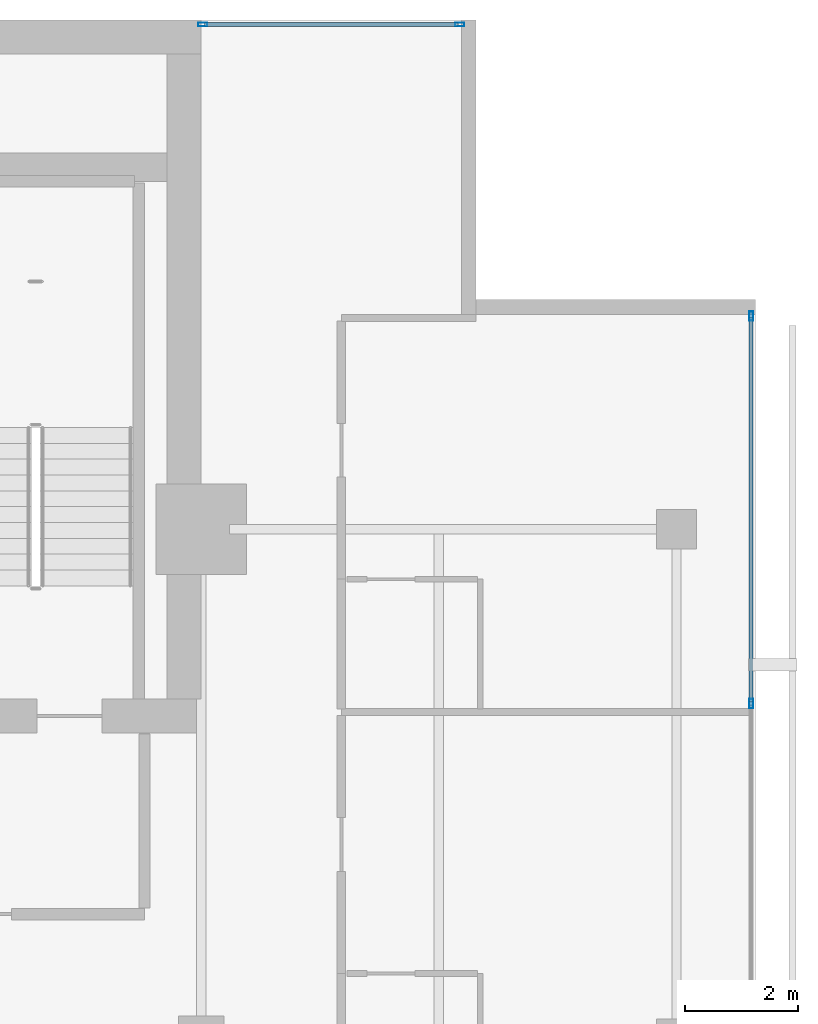
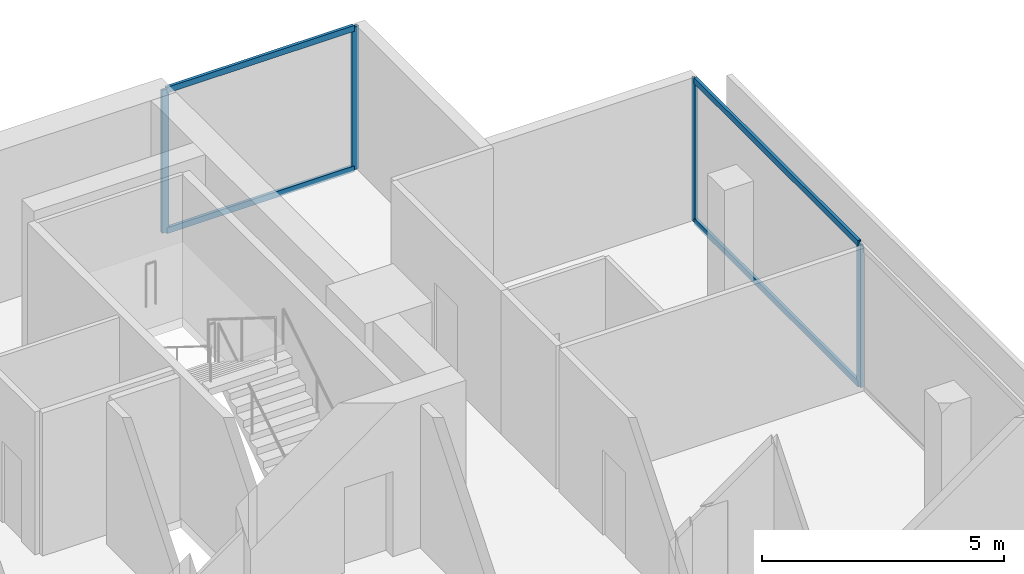
# One storey, part 18 of 25: 8 members, 2 elements without a shape of their own.
"""IFC4 building model written with IfcOpenShell, lengths in metres."""

import ifcopenshell
import ifcopenshell.guid

model = None  # the IFC model being written
_history = None  # IfcOwnerHistory: only IFC2X3 demands one
_inside = {}  # id of a spatial element -> (the spatial element, [elements in it])
_under = {}  # id of a project, library or spatial element -> (it, [spatial elements below it])
_declared = {}  # id of a project -> (the project, [libraries it declares])
_typed = {}  # id of a type object -> (the type object, [elements of that type])
_made_of = {}  # id of a material, layer set ... -> (it, [elements and type objects made of it])


def new_model(schema):
    """Start an empty IFC model of exactly this schema.

    Asked for "IFC4X3", IfcOpenShell would pick the latest addendum, in which some entities
    have other attributes; the version numbers below select the first issue.
    IFC2X3 requires an IfcOwnerHistory on every rooted entity: one is made here for all.
    """
    global model, _history
    if schema == "IFC4X3":
        model = ifcopenshell.file(schema_version=(4, 3, 0, 0))
    else:
        model = ifcopenshell.file(schema=schema)
    _inside.clear()
    _under.clear()
    _declared.clear()
    _typed.clear()
    _made_of.clear()
    _history = None
    if model.schema == "IFC2X3":
        org = make("IfcOrganization", Name="unknown")
        user = make(
            "IfcPersonAndOrganization",
            ThePerson=make("IfcPerson", FamilyName="unknown"),
            TheOrganization=org,
        )
        app = make(
            "IfcApplication",
            ApplicationDeveloper=org,
            Version="unknown",
            ApplicationFullName="unknown",
            ApplicationIdentifier="unknown",
        )
        _history = make(
            "IfcOwnerHistory",
            OwningUser=user,
            OwningApplication=app,
            ChangeAction="ADDED",
            CreationDate=0,
        )
    return model


def make(cls, **values):
    """One entity of the class cls with the attributes given. An attribute that is None is left unset."""
    return model.create_entity(
        cls, **{name: value for name, value in values.items() if value is not None}
    )


def rooted(cls, **values):
    """An entity with a GlobalId (a new one), such as an element, a storey or a relation."""
    return make(cls, GlobalId=ifcopenshell.guid.new(), OwnerHistory=_history, **values)


def si_unit(unit_type, name, prefix=None):
    """IfcSIUnit, for example si_unit("LENGTHUNIT", "METRE", prefix="MILLI")."""
    return make("IfcSIUnit", UnitType=unit_type, Prefix=prefix, Name=name)


def assignment(units):
    """IfcUnitAssignment: the units of a project."""
    return None if units is None else make("IfcUnitAssignment", Units=units)


def point(xyz):
    """IfcCartesianPoint."""
    return None if xyz is None else make("IfcCartesianPoint", Coordinates=xyz)


def direction(xyz):
    """IfcDirection."""
    return None if xyz is None else make("IfcDirection", DirectionRatios=xyz)


def frame(location, z_axis=None, x_axis=None):
    """IfcAxis2Placement3D, a coordinate frame: its origin and axes. An axis left out is left unset."""
    return make(
        "IfcAxis2Placement3D",
        Location=point(location),
        Axis=direction(z_axis),
        RefDirection=direction(x_axis),
    )


def frame_2d(location, x_axis=None):
    """IfcAxis2Placement2D, a coordinate frame in the plane: its origin and x axis."""
    return make(
        "IfcAxis2Placement2D", Location=point(location), RefDirection=direction(x_axis)
    )


def origin():
    """The frame at (0, 0, 0) with its axes left unset."""
    return frame((0.0, 0.0, 0.0))


def origin_2d():
    """The frame at (0, 0) in the plane with its x axis left unset."""
    return frame_2d((0.0, 0.0))


def place(relative_to, where):
    """IfcLocalPlacement: puts the frame where relative to a parent placement (None: the world)."""
    return make(
        "IfcLocalPlacement", PlacementRelTo=relative_to, RelativePlacement=where
    )


def context(
    kind, dimensions, precision=None, world=None, true_north=None, identifier=None
):
    """IfcGeometricRepresentationContext, for example the 3D "Model" context."""
    return make(
        "IfcGeometricRepresentationContext",
        ContextIdentifier=identifier,
        ContextType=kind,
        CoordinateSpaceDimension=dimensions,
        Precision=precision,
        WorldCoordinateSystem=world,
        TrueNorth=true_north,
    )


def subcontext(parent, identifier, kind, view, scale=None):
    """IfcGeometricRepresentationSubContext, for example "Body" below "Model"."""
    return make(
        "IfcGeometricRepresentationSubContext",
        ContextIdentifier=identifier,
        ContextType=kind,
        ParentContext=parent,
        TargetScale=scale,
        TargetView=view,
    )


def project(units=None, contexts=None):
    """IfcProject with its units and contexts."""
    return rooted(
        "IfcProject",
        Name="project",
        RepresentationContexts=contexts,
        UnitsInContext=assignment(units),
    )


def spatial(cls, under=None, at=None, **own):
    """A site, building, storey or space (cls), placed at a placement, below another one or the project."""
    s = rooted(cls, ObjectPlacement=at, **own)
    if under is not None:
        _under.setdefault(under.id(), (under, []))[1].append(s)
    return s


def profile(cls, at=None, kind="AREA", **sizes):
    """A parametric profile (cls). Its sizes go by their IFC names, for example OverallWidth=200.0."""
    return make(cls, ProfileType=kind, Position=at, **sizes)


def hollow_rectangle(**sizes):
    """IfcRectangleHollowProfileDef."""
    return profile("IfcRectangleHollowProfileDef", **sizes)


def extrude(swept, where, along, depth):
    """IfcExtrudedAreaSolid: the profile swept, set in the frame where, extruded along a direction by depth."""
    return make(
        "IfcExtrudedAreaSolid",
        SweptArea=swept,
        Position=where,
        ExtrudedDirection=direction(along),
        Depth=depth,
    )


def shape(context_of_items, identifier, shape_type, items):
    """IfcShapeRepresentation: the items that make up one representation, for example the "Body"."""
    return make(
        "IfcShapeRepresentation",
        ContextOfItems=context_of_items,
        RepresentationIdentifier=identifier,
        RepresentationType=shape_type,
        Items=items,
    )


def material(Name=None, Category=None):
    """IfcMaterial."""
    return make("IfcMaterial", Name=Name, Category=Category)


def layer(
    of_material, thickness, ventilated=None, Name=None, Category=None, Priority=None
):
    """IfcMaterialLayer: one layer of a wall or slab, of a material (None: an air gap)."""
    return make(
        "IfcMaterialLayer",
        Material=of_material,
        LayerThickness=thickness,
        IsVentilated=ventilated,
        Name=Name,
        Category=Category,
        Priority=Priority,
    )


def layer_set(layers, Name=None):
    """IfcMaterialLayerSet."""
    return make("IfcMaterialLayerSet", MaterialLayers=layers, LayerSetName=Name)


def material_profile(
    of_material, cross_section, Name=None, Category=None, Priority=None
):
    """IfcMaterialProfile: a cross section and its material."""
    return make(
        "IfcMaterialProfile",
        Name=Name,
        Material=of_material,
        Profile=cross_section,
        Priority=Priority,
        Category=Category,
    )


def profile_set(profiles, Name=None, composite=None):
    """IfcMaterialProfileSet."""
    return make(
        "IfcMaterialProfileSet",
        Name=Name,
        MaterialProfiles=profiles,
        CompositeProfile=composite,
    )


def made_of(thing, what):
    """Note that an element or type object is made of a material, layer set ...; save() writes the relation."""
    if what is not None:
        _made_of.setdefault(what.id(), (what, []))[1].append(thing)
    return thing


def type_object(cls, material=None, **own):
    """A type object (cls), such as IfcWallType, which elements share."""
    return made_of(rooted(cls, **own), material)


def element(
    cls,
    number,
    at=None,
    inside=None,
    cuts=None,
    type_object=None,
    material=None,
    context=None,
    identifier="Body",
    shape_type=None,
    held_by="IfcProductDefinitionShape",
    body=None,
    shapes=None,
    **own,
):
    """One element of the class cls, such as IfcWall. Its Tag is "e" and its number.

    at: its placement. inside: the storey or other place that contains it. cuts: it is an
    opening in that element (IfcRelVoidsElement). A single representation is given by context,
    identifier, shape_type and body (its items); several are given by shapes. held_by: the class
    of the entity that holds the representations. save() writes the other relations.
    """
    e = rooted(cls, Tag="e%d" % number, ObjectPlacement=at, **own)
    if body is not None:
        shapes = [shape(context, identifier, shape_type, body)]
    if shapes is not None:
        e.Representation = make(held_by, Representations=shapes)
    if inside is not None:
        _inside.setdefault(inside.id(), (inside, []))[1].append(e)
    if cuts is not None:
        rooted(
            "IfcRelVoidsElement", RelatingBuildingElement=cuts, RelatedOpeningElement=e
        )
    if type_object is not None:
        _typed.setdefault(type_object.id(), (type_object, []))[1].append(e)
    return made_of(e, material)


def aggregate(whole, parts):
    """IfcRelAggregates: a whole, such as a stair, and the parts it consists of."""
    return rooted("IfcRelAggregates", RelatingObject=whole, RelatedObjects=parts)


def save(model, path):
    """Write the relations noted so far, then the file.

    IfcRelAggregates (storeys below a building ...), IfcRelContainedInSpatialStructure (elements
    in a storey), IfcRelDefinesByType, IfcRelAssociatesMaterial and IfcRelDeclares: one each for
    every whole, place, type object, material and project.
    """
    for whole, parts in _under.values():
        aggregate(whole, parts)
    for where, things in _inside.values():
        rooted(
            "IfcRelContainedInSpatialStructure",
            RelatedElements=things,
            RelatingStructure=where,
        )
    for kind, things in _typed.values():
        rooted("IfcRelDefinesByType", RelatedObjects=things, RelatingType=kind)
    for what, things in _made_of.values():
        rooted("IfcRelAssociatesMaterial", RelatedObjects=things, RelatingMaterial=what)
    for by, libraries in _declared.values():
        rooted("IfcRelDeclares", RelatingContext=by, RelatedDefinitions=libraries)
    model.write(path)


model = new_model("IFC4")

# Units and contexts
model_context = context("Model", 3, precision=1e-05, world=origin(), true_north=direction((0.0, 1.0)))
body_context = subcontext(model_context, "Body", "Model", "MODEL_VIEW")
ifc_project = project(units=[si_unit("LENGTHUNIT", "METRE"), si_unit("AREAUNIT", "SQUARE_METRE"), si_unit("VOLUMEUNIT", "CUBIC_METRE"), si_unit("PLANEANGLEUNIT", "RADIAN"), si_unit("MASSUNIT", "GRAM", prefix="KILO")], contexts=[model_context])

# Site, building, storey
site_placement = place(None, origin())
site = spatial("IfcSite", under=ifc_project, at=site_placement, CompositionType="ELEMENT")
building_placement = place(site_placement, origin())
building = spatial("IfcBuilding", under=site, at=building_placement, Name="Maruvema Waterfront Hotel and Observation Tower", CompositionType="ELEMENT")
storey_placement = place(building_placement, frame((0.0, 0.0, 304.85009765625)))
storey = spatial("IfcBuildingStorey", under=building, at=storey_placement, Name="L75", CompositionType="ELEMENT", Elevation=304.85009765625)

# Curtain wall, members
ifc_material_1 = material(Name="Anodised bronze aluminium and solar-control low-E IGU", Category="aluminium")
ifc_layer = layer(ifc_material_1, 0.159912109375, Name="Zone 3 Champagne Inner Thermal Curtain Wall System CW-04")
ifc_layer_set = layer_set([ifc_layer], Name="Anodised bronze aluminium and solar-control low-E IGU")
curtain_wall_type = type_object("IfcCurtainWallType", Name="Zone 3 Champagne Inner Thermal Curtain Wall System CW-04", PredefinedType="USERDEFINED", material=ifc_layer_set)
curtain_wall_1_placement = place(storey_placement, origin())
curtain_wall_1 = element("IfcCurtainWall", 1, at=curtain_wall_1_placement, inside=storey, type_object=curtain_wall_type, Name="L75 Curtain Wall CW-L75-E", ObjectType="UNITISED CURTAIN WALL", PredefinedType="USERDEFINED")
ifc_material_2 = material(Name="Anodised architectural bronze aluminium", Category="aluminium")
ifc_material_profile_1 = material_profile(ifc_material_2, hollow_rectangle(XDim=0.070068359375, YDim=0.14990234375, WallThickness=0.00390625, at=origin_2d()), Name="ALU-T70x150")
ifc_profile_set_1 = profile_set([ifc_material_profile_1], Name="Anodised architectural bronze aluminium")
member_type_1 = type_object("IfcMemberType", Name="Curtain Wall Horizontal Transom ALU-T70x150", PredefinedType="USERDEFINED", material=ifc_profile_set_1)
member_1_placement = place(storey_placement, frame((60.1201171875, 41.949951171875, 0.02978515625), z_axis=(0.0, 1.0, 0.0), x_axis=(-1.0, 0.0, 0.0)))
member_1 = element("IfcMember", 2, at=member_1_placement, type_object=member_type_1, Name="CW-04 transom 5.1", ObjectType="TRANSOM", PredefinedType="USERDEFINED", context=body_context, shape_type="SweptSolid", body=[
    extrude(hollow_rectangle(XDim=0.070068359375, YDim=0.14990234375, WallThickness=0.00390625, at=origin_2d()), origin(), (0.0, 0.0, 1.0), 6.7900390625),
])
member_2_placement = place(storey_placement, frame((60.1201171875, 41.949951171875, 3.579833984375), z_axis=(0.0, 1.0, 0.0), x_axis=(-1.0, 0.0, 0.0)))
member_2 = element("IfcMember", 3, at=member_2_placement, type_object=member_type_1, Name="CW-04 transom 5.2", ObjectType="TRANSOM", PredefinedType="USERDEFINED", context=body_context, shape_type="SweptSolid", body=[
    extrude(hollow_rectangle(XDim=0.070068359375, YDim=0.14990234375, WallThickness=0.00390625, at=origin_2d()), origin(), (0.0, 0.0, 1.0), 6.7900390625),
])

curtain_wall_2_placement = place(storey_placement, origin())
curtain_wall_2 = element("IfcCurtainWall", 4, at=curtain_wall_2_placement, inside=storey, type_object=curtain_wall_type, Name="L75 Curtain Wall CW-L75-NE", ObjectType="UNITISED CURTAIN WALL", PredefinedType="USERDEFINED")
member_3_placement = place(storey_placement, frame((54.93994140625, 53.919921875, 0.02978515625), z_axis=(-1.0, 0.0, 0.0), x_axis=(0.0, -1.0, 0.0)))
member_3 = element("IfcMember", 5, at=member_3_placement, type_object=member_type_1, Name="CW-04 transom 1.1", ObjectType="TRANSOM", PredefinedType="USERDEFINED", context=body_context, shape_type="SweptSolid", body=[
    extrude(hollow_rectangle(XDim=0.070068359375, YDim=0.14990234375, WallThickness=0.00390625, at=origin_2d()), origin(), (0.0, 0.0, 1.0), 4.47998046875),
])
member_4_placement = place(storey_placement, frame((54.93994140625, 53.919921875, 3.579833984375), z_axis=(-1.0, 0.0, 0.0), x_axis=(0.0, -1.0, 0.0)))
member_4 = element("IfcMember", 6, at=member_4_placement, type_object=member_type_1, Name="CW-04 transom 1.2", ObjectType="TRANSOM", PredefinedType="USERDEFINED", context=body_context, shape_type="SweptSolid", body=[
    extrude(hollow_rectangle(XDim=0.070068359375, YDim=0.14990234375, WallThickness=0.00390625, at=origin_2d()), origin(), (0.0, 0.0, 1.0), 4.47998046875),
])

# Member
ifc_material_3 = material(Name="Anodised architectural bronze aluminium", Category="aluminium")
ifc_material_profile_2 = material_profile(ifc_material_3, hollow_rectangle(XDim=0.06494140625, YDim=0.1650390625, WallThickness=0.00390625, at=origin_2d()), Name="ALU-M65x165")
ifc_profile_set_2 = profile_set([ifc_material_profile_2], Name="Anodised architectural bronze aluminium")
member_type_2 = type_object("IfcMemberType", Name="Curtain Wall Primary Mullion ALU-M65x165", PredefinedType="MULLION", material=ifc_profile_set_2)
member_5_placement = place(storey_placement, frame((60.1201171875, 41.919921875, 0.0), z_axis=(0.0, 0.0, 1.0), x_axis=(-1.0, 0.0, 0.0)))
member_5 = element("IfcMember", 7, at=member_5_placement, type_object=member_type_2, Name="CW-04 mullion 5", PredefinedType="MULLION", context=body_context, shape_type="SweptSolid", body=[
    extrude(hollow_rectangle(XDim=0.06494140625, YDim=0.1650390625, WallThickness=0.00390625, at=origin_2d()), origin(), (0.0, 0.0, 1.0), 3.60986328125),
])

member_6_placement = place(storey_placement, frame((60.1201171875, 48.77001953125, 0.0), z_axis=(0.0, 0.0, 1.0), x_axis=(-1.0, 0.0, 0.0)))
member_6 = element("IfcMember", 8, at=member_6_placement, type_object=member_type_2, Name="CW-04 mullion 6", PredefinedType="MULLION", context=body_context, shape_type="SweptSolid", body=[
    extrude(hollow_rectangle(XDim=0.06494140625, YDim=0.1650390625, WallThickness=0.00390625, at=origin_2d()), origin(), (0.0, 0.0, 1.0), 3.60986328125),
])

aggregate(curtain_wall_1, [member_5, member_6, member_1, member_2])

member_7_placement = place(storey_placement, frame((54.969970703125, 53.919921875, 0.0), z_axis=(0.0, 0.0, 1.0), x_axis=(0.0, -1.0, 0.0)))
member_7 = element("IfcMember", 9, at=member_7_placement, type_object=member_type_2, Name="CW-04 mullion 1", PredefinedType="MULLION", context=body_context, shape_type="SweptSolid", body=[
    extrude(hollow_rectangle(XDim=0.06494140625, YDim=0.1650390625, WallThickness=0.00390625, at=origin_2d()), origin(), (0.0, 0.0, 1.0), 3.60986328125),
])

member_8_placement = place(storey_placement, frame((50.429931640625, 53.919921875, 0.0), z_axis=(0.0, 0.0, 1.0), x_axis=(0.0, -1.0, 0.0)))
member_8 = element("IfcMember", 10, at=member_8_placement, type_object=member_type_2, Name="CW-04 mullion 2", PredefinedType="MULLION", context=body_context, shape_type="SweptSolid", body=[
    extrude(hollow_rectangle(XDim=0.06494140625, YDim=0.1650390625, WallThickness=0.00390625, at=origin_2d()), origin(), (0.0, 0.0, 1.0), 3.60986328125),
])

aggregate(curtain_wall_2, [member_7, member_8, member_3, member_4])

save(model, "model.ifc")
